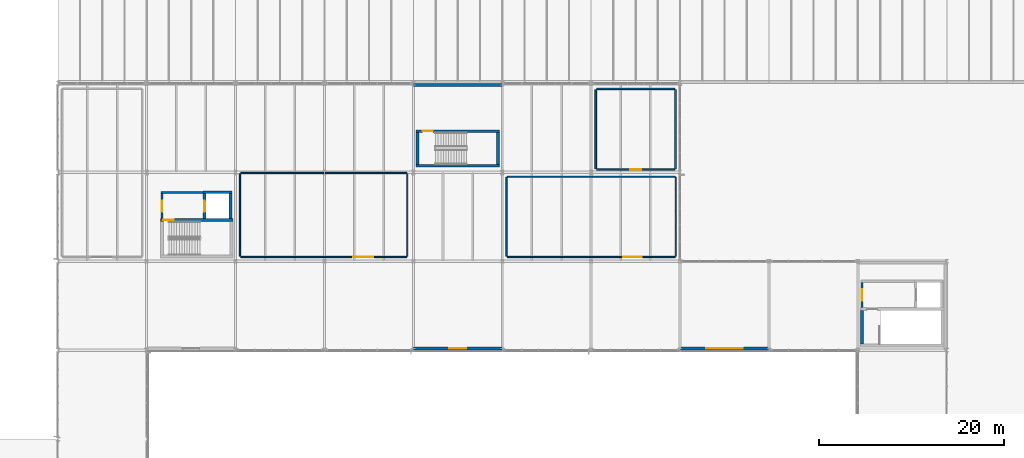
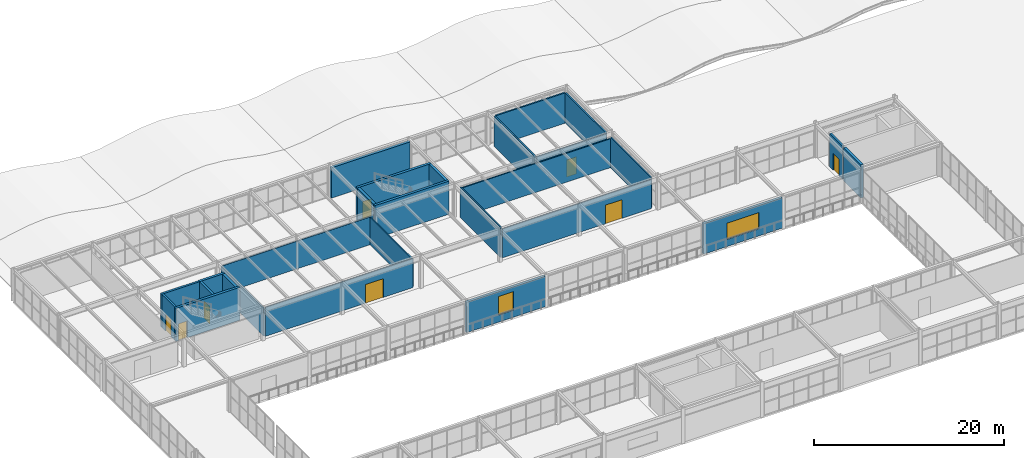
# One storey, part 154 of 170: 27 walls, 8 doors, 2 windows, 10 openings.
"""IFC4 building model written with IfcOpenShell, lengths in metres."""

import ifcopenshell
import ifcopenshell.guid

model = None  # the IFC model being written
_history = None  # IfcOwnerHistory: only IFC2X3 demands one
_inside = {}  # id of a spatial element -> (the spatial element, [elements in it])
_under = {}  # id of a project, library or spatial element -> (it, [spatial elements below it])
_declared = {}  # id of a project -> (the project, [libraries it declares])
_typed = {}  # id of a type object -> (the type object, [elements of that type])
_made_of = {}  # id of a material, layer set ... -> (it, [elements and type objects made of it])


def new_model(schema):
    """Start an empty IFC model of exactly this schema.

    Asked for "IFC4X3", IfcOpenShell would pick the latest addendum, in which some entities
    have other attributes; the version numbers below select the first issue.
    IFC2X3 requires an IfcOwnerHistory on every rooted entity: one is made here for all.
    """
    global model, _history
    if schema == "IFC4X3":
        model = ifcopenshell.file(schema_version=(4, 3, 0, 0))
    else:
        model = ifcopenshell.file(schema=schema)
    _inside.clear()
    _under.clear()
    _declared.clear()
    _typed.clear()
    _made_of.clear()
    _history = None
    if model.schema == "IFC2X3":
        org = make("IfcOrganization", Name="unknown")
        user = make(
            "IfcPersonAndOrganization",
            ThePerson=make("IfcPerson", FamilyName="unknown"),
            TheOrganization=org,
        )
        app = make(
            "IfcApplication",
            ApplicationDeveloper=org,
            Version="unknown",
            ApplicationFullName="unknown",
            ApplicationIdentifier="unknown",
        )
        _history = make(
            "IfcOwnerHistory",
            OwningUser=user,
            OwningApplication=app,
            ChangeAction="ADDED",
            CreationDate=0,
        )
    return model


def make(cls, **values):
    """One entity of the class cls with the attributes given. An attribute that is None is left unset."""
    return model.create_entity(
        cls, **{name: value for name, value in values.items() if value is not None}
    )


def rooted(cls, **values):
    """An entity with a GlobalId (a new one), such as an element, a storey or a relation."""
    return make(cls, GlobalId=ifcopenshell.guid.new(), OwnerHistory=_history, **values)


def si_unit(unit_type, name, prefix=None):
    """IfcSIUnit, for example si_unit("LENGTHUNIT", "METRE", prefix="MILLI")."""
    return make("IfcSIUnit", UnitType=unit_type, Prefix=prefix, Name=name)


def assignment(units):
    """IfcUnitAssignment: the units of a project."""
    return None if units is None else make("IfcUnitAssignment", Units=units)


def point(xyz):
    """IfcCartesianPoint."""
    return None if xyz is None else make("IfcCartesianPoint", Coordinates=xyz)


def direction(xyz):
    """IfcDirection."""
    return None if xyz is None else make("IfcDirection", DirectionRatios=xyz)


def frame(location, z_axis=None, x_axis=None):
    """IfcAxis2Placement3D, a coordinate frame: its origin and axes. An axis left out is left unset."""
    return make(
        "IfcAxis2Placement3D",
        Location=point(location),
        Axis=direction(z_axis),
        RefDirection=direction(x_axis),
    )


def frame_2d(location, x_axis=None):
    """IfcAxis2Placement2D, a coordinate frame in the plane: its origin and x axis."""
    return make(
        "IfcAxis2Placement2D", Location=point(location), RefDirection=direction(x_axis)
    )


def origin():
    """The frame at (0, 0, 0) with its axes left unset."""
    return frame((0.0, 0.0, 0.0))


def place(relative_to, where):
    """IfcLocalPlacement: puts the frame where relative to a parent placement (None: the world)."""
    return make(
        "IfcLocalPlacement", PlacementRelTo=relative_to, RelativePlacement=where
    )


def context(
    kind, dimensions, precision=None, world=None, true_north=None, identifier=None
):
    """IfcGeometricRepresentationContext, for example the 3D "Model" context."""
    return make(
        "IfcGeometricRepresentationContext",
        ContextIdentifier=identifier,
        ContextType=kind,
        CoordinateSpaceDimension=dimensions,
        Precision=precision,
        WorldCoordinateSystem=world,
        TrueNorth=true_north,
    )


def subcontext(parent, identifier, kind, view, scale=None):
    """IfcGeometricRepresentationSubContext, for example "Body" below "Model"."""
    return make(
        "IfcGeometricRepresentationSubContext",
        ContextIdentifier=identifier,
        ContextType=kind,
        ParentContext=parent,
        TargetScale=scale,
        TargetView=view,
    )


def project(units=None, contexts=None):
    """IfcProject with its units and contexts."""
    return rooted(
        "IfcProject",
        Name="project",
        RepresentationContexts=contexts,
        UnitsInContext=assignment(units),
    )


def spatial(cls, under=None, at=None, **own):
    """A site, building, storey or space (cls), placed at a placement, below another one or the project."""
    s = rooted(cls, ObjectPlacement=at, **own)
    if under is not None:
        _under.setdefault(under.id(), (under, []))[1].append(s)
    return s


def profile(cls, at=None, kind="AREA", **sizes):
    """A parametric profile (cls). Its sizes go by their IFC names, for example OverallWidth=200.0."""
    return make(cls, ProfileType=kind, Position=at, **sizes)


def rectangle(**sizes):
    """IfcRectangleProfileDef."""
    return profile("IfcRectangleProfileDef", **sizes)


def extrude(swept, where, along, depth):
    """IfcExtrudedAreaSolid: the profile swept, set in the frame where, extruded along a direction by depth."""
    return make(
        "IfcExtrudedAreaSolid",
        SweptArea=swept,
        Position=where,
        ExtrudedDirection=direction(along),
        Depth=depth,
    )


def shape(context_of_items, identifier, shape_type, items):
    """IfcShapeRepresentation: the items that make up one representation, for example the "Body"."""
    return make(
        "IfcShapeRepresentation",
        ContextOfItems=context_of_items,
        RepresentationIdentifier=identifier,
        RepresentationType=shape_type,
        Items=items,
    )


def material(Name=None, Category=None):
    """IfcMaterial."""
    return make("IfcMaterial", Name=Name, Category=Category)


def layer(
    of_material, thickness, ventilated=None, Name=None, Category=None, Priority=None
):
    """IfcMaterialLayer: one layer of a wall or slab, of a material (None: an air gap)."""
    return make(
        "IfcMaterialLayer",
        Material=of_material,
        LayerThickness=thickness,
        IsVentilated=ventilated,
        Name=Name,
        Category=Category,
        Priority=Priority,
    )


def layer_set(layers, Name=None):
    """IfcMaterialLayerSet."""
    return make("IfcMaterialLayerSet", MaterialLayers=layers, LayerSetName=Name)


def made_of(thing, what):
    """Note that an element or type object is made of a material, layer set ...; save() writes the relation."""
    if what is not None:
        _made_of.setdefault(what.id(), (what, []))[1].append(thing)
    return thing


def type_object(cls, material=None, **own):
    """A type object (cls), such as IfcWallType, which elements share."""
    return made_of(rooted(cls, **own), material)


def element(
    cls,
    number,
    at=None,
    inside=None,
    cuts=None,
    type_object=None,
    material=None,
    context=None,
    identifier="Body",
    shape_type=None,
    held_by="IfcProductDefinitionShape",
    body=None,
    shapes=None,
    **own,
):
    """One element of the class cls, such as IfcWall. Its Tag is "e" and its number.

    at: its placement. inside: the storey or other place that contains it. cuts: it is an
    opening in that element (IfcRelVoidsElement). A single representation is given by context,
    identifier, shape_type and body (its items); several are given by shapes. held_by: the class
    of the entity that holds the representations. save() writes the other relations.
    """
    e = rooted(cls, Tag="e%d" % number, ObjectPlacement=at, **own)
    if body is not None:
        shapes = [shape(context, identifier, shape_type, body)]
    if shapes is not None:
        e.Representation = make(held_by, Representations=shapes)
    if inside is not None:
        _inside.setdefault(inside.id(), (inside, []))[1].append(e)
    if cuts is not None:
        rooted(
            "IfcRelVoidsElement", RelatingBuildingElement=cuts, RelatedOpeningElement=e
        )
    if type_object is not None:
        _typed.setdefault(type_object.id(), (type_object, []))[1].append(e)
    return made_of(e, material)


def fill(opening, filler):
    """IfcRelFillsElement: the door or window that sits in an opening."""
    return rooted(
        "IfcRelFillsElement",
        RelatingOpeningElement=opening,
        RelatedBuildingElement=filler,
    )


def aggregate(whole, parts):
    """IfcRelAggregates: a whole, such as a stair, and the parts it consists of."""
    return rooted("IfcRelAggregates", RelatingObject=whole, RelatedObjects=parts)


def save(model, path):
    """Write the relations noted so far, then the file.

    IfcRelAggregates (storeys below a building ...), IfcRelContainedInSpatialStructure (elements
    in a storey), IfcRelDefinesByType, IfcRelAssociatesMaterial and IfcRelDeclares: one each for
    every whole, place, type object, material and project.
    """
    for whole, parts in _under.values():
        aggregate(whole, parts)
    for where, things in _inside.values():
        rooted(
            "IfcRelContainedInSpatialStructure",
            RelatedElements=things,
            RelatingStructure=where,
        )
    for kind, things in _typed.values():
        rooted("IfcRelDefinesByType", RelatedObjects=things, RelatingType=kind)
    for what, things in _made_of.values():
        rooted("IfcRelAssociatesMaterial", RelatedObjects=things, RelatingMaterial=what)
    for by, libraries in _declared.values():
        rooted("IfcRelDeclares", RelatingContext=by, RelatedDefinitions=libraries)
    model.write(path)


model = new_model("IFC4")

# Units and contexts
model_context = context("Model", 3, precision=1e-05, world=origin(), true_north=direction((0.0, 1.0)))
body_context = subcontext(model_context, "Body", "Model", "MODEL_VIEW")
ifc_project = project(units=[si_unit("LENGTHUNIT", "METRE"), si_unit("AREAUNIT", "SQUARE_METRE"), si_unit("VOLUMEUNIT", "CUBIC_METRE"), si_unit("PLANEANGLEUNIT", "RADIAN"), si_unit("MASSUNIT", "GRAM", prefix="KILO")], contexts=[model_context])

# Site, building, storey
site_placement = place(None, origin())
site = spatial("IfcSite", under=ifc_project, at=site_placement, CompositionType="ELEMENT")
building_placement = place(site_placement, origin())
building = spatial("IfcBuilding", under=site, at=building_placement, Name="Coralgate Yard Interchange", CompositionType="ELEMENT")
storey_placement = place(building_placement, frame((0.0, 0.0, 6.0)))
storey = spatial("IfcBuildingStorey", under=building, at=storey_placement, Name="L01", CompositionType="ELEMENT", Elevation=6.0)

# Wall, opening, door
ifc_material_1 = material(Name="Concrete C40/50", Category="concrete")
ifc_layer_1 = layer(ifc_material_1, 0.300048828125)
ifc_layer_set_1 = layer_set([ifc_layer_1], Name="Concrete C40/50")
wall_type_1 = type_object("IfcWallType", Name="WAL-CW300", PredefinedType="SHEAR", material=ifc_layer_set_1)
wall_1_placement = place(storey_placement, frame((57.300048828125, 81.25, 0.0), z_axis=(0.0, 0.0, 1.0), x_axis=(-1.0, 0.0, 0.0)))
wall_1 = element("IfcWall", 1, at=wall_1_placement, inside=storey, type_object=wall_type_1, Name="C5 L01 stair north shear wall", PredefinedType="SHEAR", context=body_context, shape_type="SweptSolid", body=[
    extrude(rectangle(XDim=7.800048828125, YDim=0.300048828125, at=frame_2d((3.89990234375, 0.0))), origin(), (0.0, 0.0, 1.0), 4.25),
])
opening_1_placement = place(wall_1_placement, frame((6.39990234375, 0.0, 0.0)))
opening_1 = element("IfcOpeningElement", 2, at=opening_1_placement, cuts=wall_1, Name="Opening FD-1", PredefinedType="OPENING", context=body_context, shape_type="SweptSolid", body=[
    extrude(rectangle(XDim=1.10009765625, YDim=2.14990234375, at=frame_2d((0.550048828125, 1.074951171875))), frame((0.0, 0.159912109375, 0.0), z_axis=(0.0, -1.0, 0.0), x_axis=(1.0, 0.0, 0.0)), (0.0, 0.0, 1.0), 0.320068359375),
])
ifc_material_2 = material(Name="Powder-coated steel fire door assembly", Category="steel")
door_type_1 = type_object("IfcDoorType", Name="DOR-FD-1", OperationType="NOTDEFINED", PredefinedType="DOOR", material=ifc_material_2)
door_1_placement = place(opening_1_placement, origin())
door_1 = element("IfcDoor", 3, at=door_1_placement, inside=storey, type_object=door_type_1, Name="C5 L01 stair fire door", OperationType="SINGLE_SWING_RIGHT", OverallHeight=2.14990234375, OverallWidth=1.10009765625, PredefinedType="DOOR", context=body_context, shape_type="SweptSolid", body=[
    extrude(rectangle(XDim=1.10009765625, YDim=2.14990234375, at=frame_2d((0.550048828125, 1.074951171875))), frame((0.0, 0.02490234375, 0.0), z_axis=(0.0, -1.0, 0.0), x_axis=(1.0, 0.0, 0.0)), (0.0, 0.0, 1.0), 0.050048828125),
])
fill(opening_1, door_1)

wall_2_placement = place(storey_placement, frame((54.25, 84.10009765625, 0.0), z_axis=(0.0, 0.0, 1.0), x_axis=(0.0, -1.0, 0.0)))
wall_2 = element("IfcWall", 4, at=wall_2_placement, inside=storey, type_object=wall_type_1, Name="C5 L01 lift front shear wall", PredefinedType="SHEAR", context=body_context, shape_type="SweptSolid", body=[
    extrude(rectangle(XDim=2.7001953125, YDim=0.300048828125, at=frame_2d((1.35009765625, 0.0))), origin(), (0.0, 0.0, 1.0), 4.25),
])
opening_2_placement = place(wall_2_placement, frame((0.739990234375, 0.0, 0.0)))
opening_2 = element("IfcOpeningElement", 5, at=opening_2_placement, cuts=wall_2, Name="Opening LD-3", PredefinedType="OPENING", context=body_context, shape_type="SweptSolid", body=[
    extrude(rectangle(XDim=1.219970703125, YDim=2.14990234375, at=frame_2d((0.60986328125, 1.074951171875))), frame((0.0, 0.159912109375, 0.0), z_axis=(0.0, -1.0, 0.0), x_axis=(1.0, 0.0, 0.0)), (0.0, 0.0, 1.0), 0.320068359375),
])
ifc_material_3 = material(Name="Brushed stainless steel concourse lift landing door", Category="steel")
door_type_2 = type_object("IfcDoorType", Name="DOR-LD-3", OperationType="DOUBLE_DOOR_SLIDING", PredefinedType="DOOR", material=ifc_material_3)
door_2_placement = place(opening_2_placement, frame((1.219970703125, 0.0, 0.0), z_axis=(0.0, 0.0, 1.0), x_axis=(-1.0, 0.0, 0.0)))
door_2 = element("IfcDoor", 6, at=door_2_placement, inside=storey, type_object=door_type_2, Name="LF-03 L01 sliding lift landing door", OperationType="DOUBLE_DOOR_SLIDING", OverallHeight=2.14990234375, OverallWidth=1.219970703125, PredefinedType="DOOR", context=body_context, shape_type="SweptSolid", body=[
    extrude(rectangle(XDim=1.219970703125, YDim=2.14990234375, at=frame_2d((0.60986328125, 1.074951171875))), frame((0.0, 0.02490234375, 0.0), z_axis=(0.0, -1.0, 0.0), x_axis=(1.0, 0.0, 0.0)), (0.0, 0.0, 1.0), 0.050048828125),
])
fill(opening_2, door_2)

# Walls
wall_3_placement = place(storey_placement, frame((57.050048828125, 81.39990234375, 0.0), z_axis=(0.0, 0.0, 1.0), x_axis=(0.0, 1.0, 0.0)))
element("IfcWall", 7, at=wall_3_placement, inside=storey, type_object=wall_type_1, Name="C5 L01 lift rear shear wall", PredefinedType="SHEAR", context=body_context, shape_type="SweptSolid", body=[
    extrude(rectangle(XDim=2.7001953125, YDim=0.300048828125, at=frame_2d((1.35009765625, 0.0))), origin(), (0.0, 0.0, 1.0), 4.25),
])
wall_4_placement = place(storey_placement, frame((54.10009765625, 84.25, 0.0), z_axis=(0.0, 0.0, 1.0), x_axis=(1.0, 0.0, 0.0)))
element("IfcWall", 8, at=wall_4_placement, inside=storey, type_object=wall_type_1, Name="C5 L01 lift north shear wall", PredefinedType="SHEAR", context=body_context, shape_type="SweptSolid", body=[
    extrude(rectangle(XDim=3.099853515625, YDim=0.300048828125, at=frame_2d((1.5498046875, 0.0))), origin(), (0.0, 0.0, 1.0), 4.25),
])
wall_5_placement = place(storey_placement, frame((125.25, 67.85009765625, 0.0), z_axis=(0.0, 0.0, 1.0), x_axis=(0.0, 1.0, 0.0)))
element("IfcWall", 9, at=wall_5_placement, inside=storey, type_object=wall_type_1, Name="C7 L01 stair west shear wall", PredefinedType="SHEAR", context=body_context, shape_type="SweptSolid", body=[
    extrude(rectangle(XDim=3.64990234375, YDim=0.300048828125, at=frame_2d((1.824951171875, 0.0))), origin(), (0.0, 0.0, 1.0), 4.25),
])
wall_6_placement = place(storey_placement, frame((77.10009765625, 87.110107421875, 0.0), z_axis=(0.0, 0.0, 1.0), x_axis=(1.0, 0.0, 0.0)))
element("IfcWall", 10, at=wall_6_placement, inside=storey, type_object=wall_type_1, Name="C9 L01 stair south shear wall", PredefinedType="SHEAR", context=body_context, shape_type="SweptSolid", body=[
    extrude(rectangle(XDim=9.0, YDim=0.300048828125, at=frame_2d((4.5, 0.0))), origin(), (0.0, 0.0, 1.0), 4.25),
])

# Wall, opening, door
wall_7_placement = place(storey_placement, frame((86.10009765625, 90.85009765625, 0.0), z_axis=(0.0, 0.0, 1.0), x_axis=(-1.0, 0.0, 0.0)))
wall_7 = element("IfcWall", 11, at=wall_7_placement, inside=storey, type_object=wall_type_1, Name="C9 L01 stair north shear wall", PredefinedType="SHEAR", context=body_context, shape_type="SweptSolid", body=[
    extrude(rectangle(XDim=9.0, YDim=0.300048828125, at=frame_2d((4.5, 0.0))), origin(), (0.0, 0.0, 1.0), 4.25),
])
opening_3_placement = place(wall_7_placement, frame((7.199951171875, 0.0, 0.0)))
opening_3 = element("IfcOpeningElement", 12, at=opening_3_placement, cuts=wall_7, Name="Opening FD-1", PredefinedType="OPENING", context=body_context, shape_type="SweptSolid", body=[
    extrude(rectangle(XDim=1.10009765625, YDim=2.14990234375, at=frame_2d((0.550048828125, 1.074951171875))), frame((0.0, 0.159912109375, 0.0), z_axis=(0.0, -1.0, 0.0), x_axis=(1.0, 0.0, 0.0)), (0.0, 0.0, 1.0), 0.320068359375),
])
door_3_placement = place(opening_3_placement, frame((1.10009765625, 0.0, 0.0), z_axis=(0.0, 0.0, 1.0), x_axis=(-1.0, 0.0, 0.0)))
door_3 = element("IfcDoor", 13, at=door_3_placement, inside=storey, type_object=door_type_1, Name="C9 L01 stair fire door", OperationType="SINGLE_SWING_RIGHT", OverallHeight=2.14990234375, OverallWidth=1.10009765625, PredefinedType="DOOR", context=body_context, shape_type="SweptSolid", body=[
    extrude(rectangle(XDim=1.10009765625, YDim=2.14990234375, at=frame_2d((0.550048828125, 1.074951171875))), frame((0.0, 0.02490234375, 0.0), z_axis=(0.0, -1.0, 0.0), x_axis=(1.0, 0.0, 0.0)), (0.0, 0.0, 1.0), 0.050048828125),
])
fill(opening_3, door_3)

# Walls
for number, where, z_axis, x_axis, name in (
    (14, (77.25, 87.260009765625, 0.0), (0.0, 0.0, 1.0), (0.0, 1.0, 0.0), "C9 L01 stair west shear wall"),
    (15, (85.949951171875, 90.699951171875, 0.0), (0.0, 0.0, 1.0), (0.0, -1.0, 0.0), "C9 L01 stair east shear wall"),
):
    element("IfcWall", number, at=place(storey_placement, frame(where, z_axis=z_axis, x_axis=x_axis)), inside=storey, type_object=wall_type_1, Name=name, PredefinedType="SHEAR", context=body_context, shape_type="SweptSolid", body=[
        extrude(rectangle(XDim=3.43994140625, YDim=0.300048828125, at=frame_2d((1.719970703125, 0.0))), origin(), (0.0, 0.0, 1.0), 4.25),
    ])

# Wall, opening, window
ifc_material_4 = material(Name="Precast concrete C40/50", Category="concrete")
ifc_layer_2 = layer(ifc_material_4, 0.320068359375)
ifc_layer_set_2 = layer_set([ifc_layer_2], Name="Precast concrete C40/50")
wall_type_2 = type_object("IfcWallType", Name="WAL-EW-320", PredefinedType="SOLIDWALL", material=ifc_layer_set_2)
wall_8_placement = place(storey_placement, frame((86.3798828125, 67.360107421875, 0.0), z_axis=(0.0, 0.0, 1.0), x_axis=(-1.0, 0.0, 0.0)))
wall_8 = element("IfcWall", 16, at=wall_8_placement, inside=storey, type_object=wall_type_2, Name="L01 exterior coastal wall S 8-7", PredefinedType="SOLIDWALL", context=body_context, shape_type="SweptSolid", body=[
    extrude(rectangle(XDim=9.559814453125, YDim=0.320068359375, at=frame_2d((4.77978515625, 0.0))), origin(), (0.0, 0.0, 1.0), 3.89990234375),
])
opening_4_placement = place(wall_8_placement, frame((3.8798828125, 0.0, 0.89990234375)))
opening_4 = element("IfcOpeningElement", 17, at=opening_4_placement, cuts=wall_8, Name="Opening W-13", PredefinedType="OPENING", context=body_context, shape_type="SweptSolid", body=[
    extrude(rectangle(XDim=1.800048828125, YDim=2.39990234375, at=frame_2d((0.89990234375, 1.199951171875))), frame((0.0, 0.169921875, 0.0), z_axis=(0.0, -1.0, 0.0), x_axis=(1.0, 0.0, 0.0)), (0.0, 0.0, 1.0), 0.340087890625),
])
ifc_material_5 = material(Name="Thermally broken anodised aluminium and solar-control low-E glass", Category="aluminium")
window_type_1 = type_object("IfcWindowType", Name="WIN-W-13", PartitioningType="SINGLE_PANEL", PredefinedType="WINDOW", material=ifc_material_5)
window_1_placement = place(opening_4_placement, origin())
window_1 = element("IfcWindow", 18, at=window_1_placement, inside=storey, type_object=window_type_1, Name="L01 coastal facade window S-8-7", OverallHeight=2.39990234375, OverallWidth=1.800048828125, PartitioningType="SINGLE_PANEL", PredefinedType="WINDOW", context=body_context, shape_type="SweptSolid", body=[
    extrude(rectangle(XDim=1.800048828125, YDim=2.39990234375, at=frame_2d((0.89990234375, 1.199951171875))), frame((0.0, 0.030029296875, 0.0), z_axis=(0.0, -1.0, 0.0), x_axis=(1.0, 0.0, 0.0)), (0.0, 0.0, 1.0), 0.06005859375),
])
fill(opening_4, window_1)

# Wall
wall_9_placement = place(storey_placement, frame((76.820068359375, 95.840087890625, 0.0), z_axis=(0.0, 0.0, 1.0), x_axis=(1.0, 0.0, 0.0)))
element("IfcWall", 19, at=wall_9_placement, inside=storey, type_object=wall_type_2, Name="L01 exterior coastal wall N 8-9", PredefinedType="SOLIDWALL", context=body_context, shape_type="SweptSolid", body=[
    extrude(rectangle(XDim=9.559814453125, YDim=0.320068359375, at=frame_2d((4.77978515625, 0.0))), origin(), (0.0, 0.0, 1.0), 3.89990234375),
])

# Wall, opening, window
wall_10_placement = place(storey_placement, frame((115.179931640625, 67.360107421875, 0.0), z_axis=(0.0, 0.0, 1.0), x_axis=(-1.0, 0.0, 0.0)))
wall_10 = element("IfcWall", 20, at=wall_10_placement, inside=storey, type_object=wall_type_2, Name="L01 exterior coastal wall S 11-7", PredefinedType="SOLIDWALL", context=body_context, shape_type="SweptSolid", body=[
    extrude(rectangle(XDim=9.559814453125, YDim=0.320068359375, at=frame_2d((4.77978515625, 0.0))), origin(), (0.0, 0.0, 1.0), 3.89990234375),
])
opening_5_placement = place(wall_10_placement, frame((2.830078125, 0.0, 0.89990234375)))
opening_5 = element("IfcOpeningElement", 21, at=opening_5_placement, cuts=wall_10, Name="Opening W-22", PredefinedType="OPENING", context=body_context, shape_type="SweptSolid", body=[
    extrude(rectangle(XDim=3.89990234375, YDim=2.10009765625, at=frame_2d((1.949951171875, 1.050048828125))), frame((0.0, 0.169921875, 0.0), z_axis=(0.0, -1.0, 0.0), x_axis=(1.0, 0.0, 0.0)), (0.0, 0.0, 1.0), 0.340087890625),
])
window_type_2 = type_object("IfcWindowType", Name="WIN-W-22", PartitioningType="SINGLE_PANEL", PredefinedType="WINDOW", material=ifc_material_5)
window_2_placement = place(opening_5_placement, origin())
window_2 = element("IfcWindow", 22, at=window_2_placement, inside=storey, type_object=window_type_2, Name="L01 coastal facade window S-11-7", OverallHeight=2.10009765625, OverallWidth=3.89990234375, PartitioningType="SINGLE_PANEL", PredefinedType="WINDOW", context=body_context, shape_type="SweptSolid", body=[
    extrude(rectangle(XDim=3.89990234375, YDim=2.10009765625, at=frame_2d((1.949951171875, 1.050048828125))), frame((0.0, 0.030029296875, 0.0), z_axis=(0.0, -1.0, 0.0), x_axis=(1.0, 0.0, 0.0)), (0.0, 0.0, 1.0), 0.06005859375),
])
fill(opening_5, window_2)

# Wall, opening, door
ifc_material_6 = material(Name="Acoustic twin-stud office partition")
ifc_layer_3 = layer(ifc_material_6, 0.139892578125)
ifc_layer_set_3 = layer_set([ifc_layer_3], Name="Acoustic twin-stud office partition")
wall_type_3 = type_object("IfcWallType", Name="WAL-PW-140", PredefinedType="PARTITIONING", material=ifc_layer_set_3)
wall_11_placement = place(storey_placement, frame((76.06005859375, 77.27001953125, 0.0), z_axis=(0.0, 0.0, 1.0), x_axis=(-1.0, 0.0, 0.0)))
wall_11 = element("IfcWall", 23, at=wall_11_placement, inside=storey, type_object=wall_type_3, Name="Coastal Mezzanine Cafe Dining Hall partition S", PredefinedType="PARTITIONING", context=body_context, shape_type="SweptSolid", body=[
    extrude(rectangle(XDim=17.920166015625, YDim=0.139892578125, at=frame_2d((8.9599609375, 0.0))), origin(), (0.0, 0.0, 1.0), 3.706787109375),
])
opening_6_placement = place(wall_11_placement, frame((3.60009765625, 0.0, 0.0)))
opening_6 = element("IfcOpeningElement", 24, at=opening_6_placement, cuts=wall_11, Name="Opening ID-22", PredefinedType="OPENING", context=body_context, shape_type="SweptSolid", body=[
    extrude(rectangle(XDim=2.14990234375, YDim=2.39990234375, at=frame_2d((1.074951171875, 1.199951171875))), frame((0.0, 0.079833984375, 0.0), z_axis=(0.0, -1.0, 0.0), x_axis=(1.0, 0.0, 0.0)), (0.0, 0.0, 1.0), 0.159912109375),
])
ifc_material_7 = material(Name="Wide dining hall glazed double door")
door_type_3 = type_object("IfcDoorType", Name="DOR-ID-22", OperationType="NOTDEFINED", PredefinedType="DOOR", material=ifc_material_7)
door_4_placement = place(opening_6_placement, origin())
door_4 = element("IfcDoor", 25, at=door_4_placement, inside=storey, type_object=door_type_3, Name="Coastal Mezzanine Cafe Dining Hall door", OperationType="DOUBLE_DOOR_SINGLE_SWING", OverallHeight=2.39990234375, OverallWidth=2.14990234375, PredefinedType="DOOR", context=body_context, shape_type="SweptSolid", body=[
    extrude(rectangle(XDim=2.14990234375, YDim=2.39990234375, at=frame_2d((1.074951171875, 1.199951171875))), frame((0.0, 0.02490234375, 0.0), z_axis=(0.0, -1.0, 0.0), x_axis=(1.0, 0.0, 0.0)), (0.0, 0.0, 1.0), 0.050048828125),
])
fill(opening_6, door_4)

# Walls
wall_12_placement = place(storey_placement, frame((58.139892578125, 86.330078125, 0.0), z_axis=(0.0, 0.0, 1.0), x_axis=(1.0, 0.0, 0.0)))
element("IfcWall", 26, at=wall_12_placement, inside=storey, type_object=wall_type_3, Name="Coastal Mezzanine Cafe Dining Hall partition N", PredefinedType="PARTITIONING", context=body_context, shape_type="SweptSolid", body=[
    extrude(rectangle(XDim=17.920166015625, YDim=0.139892578125, at=frame_2d((8.9599609375, 0.0))), origin(), (0.0, 0.0, 1.0), 3.556396484375),
])
for number, where, z_axis, x_axis, name in (
    (27, (58.070068359375, 77.340087890625, 0.0), (0.0, 0.0, 1.0), (0.0, 1.0, 0.0), "Coastal Mezzanine Cafe Dining Hall partition W"),
    (28, (76.1298828125, 86.260009765625, 0.0), (0.0, 0.0, 1.0), (0.0, -1.0, 0.0), "Coastal Mezzanine Cafe Dining Hall partition E"),
):
    element("IfcWall", number, at=place(storey_placement, frame(where, z_axis=z_axis, x_axis=x_axis)), inside=storey, type_object=wall_type_3, Name=name, PredefinedType="PARTITIONING", context=body_context, shape_type="SweptSolid", body=[
        extrude(rectangle(XDim=8.919921875, YDim=0.139892578125, at=frame_2d((4.4599609375, 0.0))), origin(), (0.0, 0.0, 1.0), 3.556396484375),
    ])

# Wall, opening, door
wall_13_placement = place(storey_placement, frame((105.06005859375, 77.27001953125, 0.0), z_axis=(0.0, 0.0, 1.0), x_axis=(-1.0, 0.0, 0.0)))
wall_13 = element("IfcWall", 29, at=wall_13_placement, inside=storey, type_object=wall_type_3, Name="East Intermodal Transfer Waiting Lounge partition S", PredefinedType="PARTITIONING", context=body_context, shape_type="SweptSolid", body=[
    extrude(rectangle(XDim=18.1201171875, YDim=0.139892578125, at=frame_2d((9.06005859375, 0.0))), origin(), (0.0, 0.0, 1.0), 3.706787109375),
])
opening_7_placement = place(wall_13_placement, frame((3.60009765625, 0.0, 0.0)))
opening_7 = element("IfcOpeningElement", 30, at=opening_7_placement, cuts=wall_13, Name="Opening ID-09", PredefinedType="OPENING", context=body_context, shape_type="SweptSolid", body=[
    extrude(rectangle(XDim=2.0, YDim=2.39990234375, at=frame_2d((1.0, 1.199951171875))), frame((0.0, 0.079833984375, 0.0), z_axis=(0.0, -1.0, 0.0), x_axis=(1.0, 0.0, 0.0)), (0.0, 0.0, 1.0), 0.159912109375),
])
ifc_material_8 = material(Name="Glazed aluminium concourse lounge double door", Category="aluminium")
door_type_4 = type_object("IfcDoorType", Name="DOR-ID-09", OperationType="NOTDEFINED", PredefinedType="DOOR", material=ifc_material_8)
door_5_placement = place(opening_7_placement, origin())
door_5 = element("IfcDoor", 31, at=door_5_placement, inside=storey, type_object=door_type_4, Name="East Intermodal Transfer Waiting Lounge door", OperationType="DOUBLE_DOOR_SINGLE_SWING", OverallHeight=2.39990234375, OverallWidth=2.0, PredefinedType="DOOR", context=body_context, shape_type="SweptSolid", body=[
    extrude(rectangle(XDim=2.0, YDim=2.39990234375, at=frame_2d((1.0, 1.199951171875))), frame((0.0, 0.02490234375, 0.0), z_axis=(0.0, -1.0, 0.0), x_axis=(1.0, 0.0, 0.0)), (0.0, 0.0, 1.0), 0.050048828125),
])
fill(opening_7, door_5)

# Walls
wall_14_placement = place(storey_placement, frame((86.93994140625, 85.929931640625, 0.0), z_axis=(0.0, 0.0, 1.0), x_axis=(1.0, 0.0, 0.0)))
element("IfcWall", 32, at=wall_14_placement, inside=storey, type_object=wall_type_3, Name="East Intermodal Transfer Waiting Lounge partition N", PredefinedType="PARTITIONING", context=body_context, shape_type="SweptSolid", body=[
    extrude(rectangle(XDim=18.1201171875, YDim=0.139892578125, at=frame_2d((9.06005859375, 0.0))), origin(), (0.0, 0.0, 1.0), 3.706787109375),
])
for number, where, z_axis, x_axis, name in (
    (33, (86.8701171875, 77.340087890625, 0.0), (0.0, 0.0, 1.0), (0.0, 1.0, 0.0), "East Intermodal Transfer Waiting Lounge partition W"),
    (34, (105.1298828125, 85.860107421875, 0.0), (0.0, 0.0, 1.0), (0.0, -1.0, 0.0), "East Intermodal Transfer Waiting Lounge partition E"),
):
    element("IfcWall", number, at=place(storey_placement, frame(where, z_axis=z_axis, x_axis=x_axis)), inside=storey, type_object=wall_type_3, Name=name, PredefinedType="PARTITIONING", context=body_context, shape_type="SweptSolid", body=[
        extrude(rectangle(XDim=8.52001953125, YDim=0.139892578125, at=frame_2d((4.260009765625, 0.0))), origin(), (0.0, 0.0, 1.0), 3.889892578125),
    ])

# Wall, opening, door
ifc_material_9 = material(Name="Acoustic concrete blockwork", Category="masonry")
ifc_layer_4 = layer(ifc_material_9, 0.179931640625)
ifc_layer_set_4 = layer_set([ifc_layer_4], Name="Acoustic concrete blockwork")
wall_type_4 = type_object("IfcWallType", Name="WAL-PW-180", PredefinedType="PARTITIONING", material=ifc_layer_set_4)
wall_15_placement = place(storey_placement, frame((105.02001953125, 86.68994140625, 0.0), z_axis=(0.0, 0.0, 1.0), x_axis=(-1.0, 0.0, 0.0)))
wall_15 = element("IfcWall", 35, at=wall_15_placement, inside=storey, type_object=wall_type_4, Name="Mezzanine Cafe Finishing Kitchen partition S", PredefinedType="PARTITIONING", context=body_context, shape_type="SweptSolid", body=[
    extrude(rectangle(XDim=8.43994140625, YDim=0.179931640625, at=frame_2d((4.219970703125, 0.0))), origin(), (0.0, 0.0, 1.0), 3.889892578125),
])
opening_8_placement = place(wall_15_placement, frame((3.6201171875, 0.0, 0.0)))
opening_8 = element("IfcOpeningElement", 36, at=opening_8_placement, cuts=wall_15, Name="Opening ID-05", PredefinedType="OPENING", context=body_context, shape_type="SweptSolid", body=[
    extrude(rectangle(XDim=1.199951171875, YDim=2.199951171875, at=frame_2d((0.60009765625, 1.10009765625))), frame((0.0, 0.099853515625, 0.0), z_axis=(0.0, -1.0, 0.0), x_axis=(1.0, 0.0, 0.0)), (0.0, 0.0, 1.0), 0.199951171875),
])
ifc_material_10 = material(Name="Powder-coated steel plant and store fire door", Category="steel")
door_type_5 = type_object("IfcDoorType", Name="DOR-ID-05", OperationType="NOTDEFINED", PredefinedType="DOOR", material=ifc_material_10)
door_6_placement = place(opening_8_placement, frame((1.199951171875, 0.0, 0.0), z_axis=(0.0, 0.0, 1.0), x_axis=(-1.0, 0.0, 0.0)))
door_6 = element("IfcDoor", 37, at=door_6_placement, inside=storey, type_object=door_type_5, Name="Mezzanine Cafe Finishing Kitchen door", OperationType="SINGLE_SWING_RIGHT", OverallHeight=2.199951171875, OverallWidth=1.199951171875, PredefinedType="DOOR", context=body_context, shape_type="SweptSolid", body=[
    extrude(rectangle(XDim=1.199951171875, YDim=2.199951171875, at=frame_2d((0.60009765625, 1.10009765625))), frame((0.0, 0.02490234375, 0.0), z_axis=(0.0, -1.0, 0.0), x_axis=(1.0, 0.0, 0.0)), (0.0, 0.0, 1.0), 0.050048828125),
])
fill(opening_8, door_6)

# Walls
wall_16_placement = place(storey_placement, frame((96.580078125, 95.409912109375, 0.0), z_axis=(0.0, 0.0, 1.0), x_axis=(1.0, 0.0, 0.0)))
element("IfcWall", 38, at=wall_16_placement, inside=storey, type_object=wall_type_4, Name="Mezzanine Cafe Finishing Kitchen partition N", PredefinedType="PARTITIONING", context=body_context, shape_type="SweptSolid", body=[
    extrude(rectangle(XDim=8.43994140625, YDim=0.179931640625, at=frame_2d((4.219970703125, 0.0))), origin(), (0.0, 0.0, 1.0), 3.889892578125),
])
for number, where, z_axis, x_axis, name in (
    (39, (96.489990234375, 86.780029296875, 0.0), (0.0, 0.0, 1.0), (0.0, 1.0, 0.0), "Mezzanine Cafe Finishing Kitchen partition W"),
    (40, (105.110107421875, 95.320068359375, 0.0), (0.0, 0.0, 1.0), (0.0, -1.0, 0.0), "Mezzanine Cafe Finishing Kitchen partition E"),
):
    element("IfcWall", number, at=place(storey_placement, frame(where, z_axis=z_axis, x_axis=x_axis)), inside=storey, type_object=wall_type_4, Name=name, PredefinedType="PARTITIONING", context=body_context, shape_type="SweptSolid", body=[
        extrude(rectangle(XDim=8.5400390625, YDim=0.179931640625, at=frame_2d((4.27001953125, 0.0))), origin(), (0.0, 0.0, 1.0), 3.889892578125),
    ])
ifc_layer_5 = layer(ifc_material_1, 0.25)
ifc_layer_set_5 = layer_set([ifc_layer_5], Name="Concrete C40/50")
wall_type_5 = type_object("IfcWallType", Name="WAL-SW250", PredefinedType="SHEAR", material=ifc_layer_set_5)
wall_17_placement = place(storey_placement, frame((54.10009765625, 84.22509765625, 0.0), z_axis=(0.0, 0.0, 1.0), x_axis=(-1.0, 0.0, 0.0)))
element("IfcWall", 41, at=wall_17_placement, inside=storey, type_object=wall_type_5, Name="C5 L01 lobby north fire wall", PredefinedType="SHEAR", context=body_context, shape_type="SweptSolid", body=[
    extrude(rectangle(XDim=4.5751953125, YDim=0.25, at=frame_2d((2.28759765625, 0.0))), origin(), (0.0, 0.0, 1.0), 4.25),
])

# Wall, opening, door
wall_18_placement = place(storey_placement, frame((49.64990234375, 81.39990234375, 0.0), z_axis=(0.0, 0.0, 1.0), x_axis=(0.0, 1.0, 0.0)))
wall_18 = element("IfcWall", 42, at=wall_18_placement, inside=storey, type_object=wall_type_5, Name="C5 L01 lobby west fire wall", PredefinedType="SHEAR", context=body_context, shape_type="SweptSolid", body=[
    extrude(rectangle(XDim=2.7001953125, YDim=0.25, at=frame_2d((1.35009765625, 0.0))), origin(), (0.0, 0.0, 1.0), 4.25),
])
opening_9_placement = place(wall_18_placement, frame((0.75, 0.0, 0.0)))
opening_9 = element("IfcOpeningElement", 43, at=opening_9_placement, cuts=wall_18, Name="Opening FD-2", PredefinedType="OPENING", context=body_context, shape_type="SweptSolid", body=[
    extrude(rectangle(XDim=1.199951171875, YDim=2.14990234375, at=frame_2d((0.60009765625, 1.074951171875))), frame((0.0, 0.135009765625, 0.0), z_axis=(0.0, -1.0, 0.0), x_axis=(1.0, 0.0, 0.0)), (0.0, 0.0, 1.0), 0.27001953125),
])
door_type_6 = type_object("IfcDoorType", Name="DOR-FD-2", OperationType="NOTDEFINED", PredefinedType="DOOR", material=ifc_material_2)
door_7_placement = place(opening_9_placement, frame((1.199951171875, 0.0, 0.0), z_axis=(0.0, 0.0, 1.0), x_axis=(-1.0, 0.0, 0.0)))
door_7 = element("IfcDoor", 44, at=door_7_placement, inside=storey, type_object=door_type_6, Name="C5 L01 lobby fire door", OperationType="SINGLE_SWING_LEFT", OverallHeight=2.14990234375, OverallWidth=1.199951171875, PredefinedType="DOOR", context=body_context, shape_type="SweptSolid", body=[
    extrude(rectangle(XDim=1.199951171875, YDim=2.14990234375, at=frame_2d((0.60009765625, 1.074951171875))), frame((0.0, 0.02490234375, 0.0), z_axis=(0.0, -1.0, 0.0), x_axis=(1.0, 0.0, 0.0)), (0.0, 0.0, 1.0), 0.050048828125),
])
fill(opening_9, door_7)

wall_19_placement = place(storey_placement, frame((125.25, 71.800048828125, 0.0), z_axis=(0.0, 0.0, 1.0), x_axis=(0.0, 1.0, 0.0)))
wall_19 = element("IfcWall", 45, at=wall_19_placement, inside=storey, type_object=wall_type_5, Name="C7 L01 lobby west fire wall", PredefinedType="SHEAR", context=body_context, shape_type="SweptSolid", body=[
    extrude(rectangle(XDim=2.699951171875, YDim=0.25, at=frame_2d((1.35009765625, 0.0))), origin(), (0.0, 0.0, 1.0), 4.25),
])
opening_10_placement = place(wall_19_placement, frame((0.75, 0.0, 0.0)))
opening_10 = element("IfcOpeningElement", 46, at=opening_10_placement, cuts=wall_19, Name="Opening FD-2", PredefinedType="OPENING", context=body_context, shape_type="SweptSolid", body=[
    extrude(rectangle(XDim=1.199951171875, YDim=2.14990234375, at=frame_2d((0.60009765625, 1.074951171875))), frame((0.0, 0.135009765625, 0.0), z_axis=(0.0, -1.0, 0.0), x_axis=(1.0, 0.0, 0.0)), (0.0, 0.0, 1.0), 0.27001953125),
])
door_8_placement = place(opening_10_placement, frame((1.199951171875, 0.0, 0.0), z_axis=(0.0, 0.0, 1.0), x_axis=(-1.0, 0.0, 0.0)))
door_8 = element("IfcDoor", 47, at=door_8_placement, inside=storey, type_object=door_type_6, Name="C7 L01 lobby fire door", OperationType="SINGLE_SWING_LEFT", OverallHeight=2.14990234375, OverallWidth=1.199951171875, PredefinedType="DOOR", context=body_context, shape_type="SweptSolid", body=[
    extrude(rectangle(XDim=1.199951171875, YDim=2.14990234375, at=frame_2d((0.60009765625, 1.074951171875))), frame((0.0, 0.02490234375, 0.0), z_axis=(0.0, -1.0, 0.0), x_axis=(1.0, 0.0, 0.0)), (0.0, 0.0, 1.0), 0.050048828125),
])
fill(opening_10, door_8)

save(model, "model.ifc")
